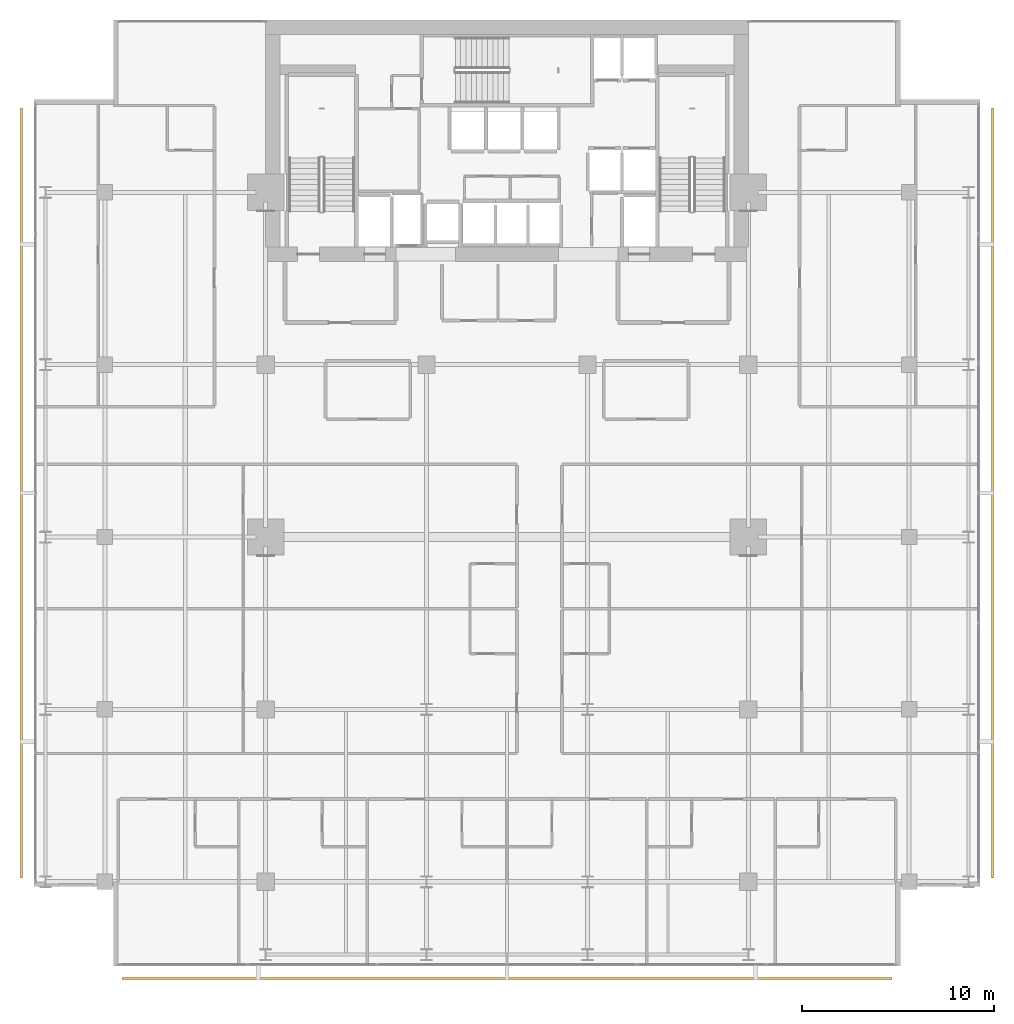
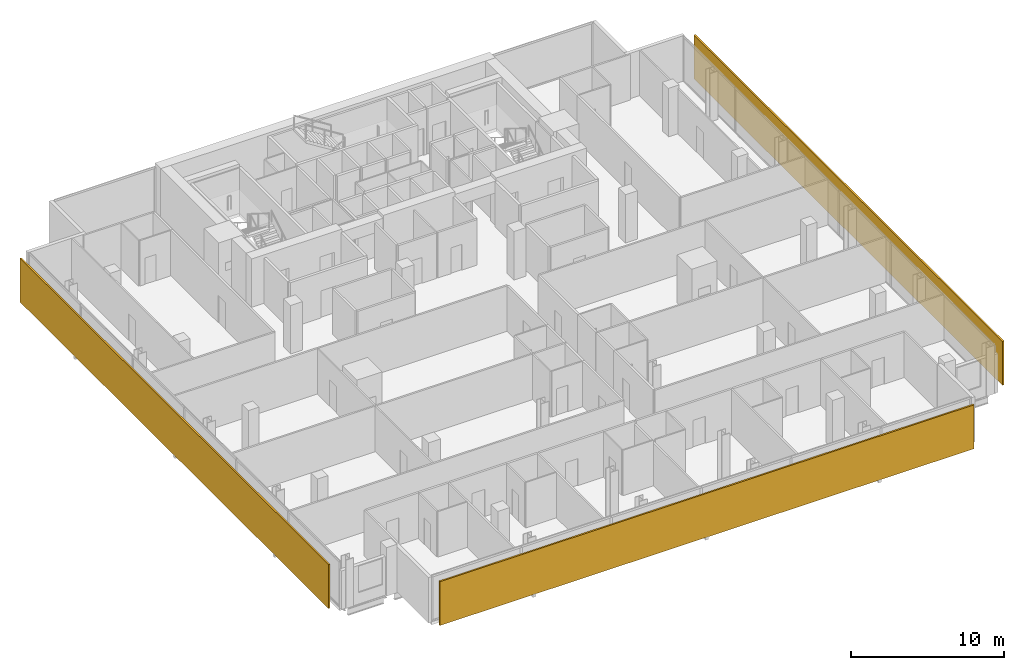
# One storey, part 32 of 33: 3 shading devices.
"""IFC4 building model written with IfcOpenShell, lengths in metres."""

from ifc_helpers import new_model, si_unit, direction, frame, origin, origin_2d, place, context, subcontext, project, spatial, rectangle, extrude, material, layer, layer_set, type_object, element, save


model = new_model("IFC4")

# Units and contexts
model_context = context("Model", 3, precision=1e-05, world=origin(), true_north=direction((0.0, 1.0)))
body_context = subcontext(model_context, "Body", "Model", "MODEL_VIEW")
ifc_project = project(units=[si_unit("LENGTHUNIT", "METRE"), si_unit("AREAUNIT", "SQUARE_METRE"), si_unit("VOLUMEUNIT", "CUBIC_METRE"), si_unit("PLANEANGLEUNIT", "RADIAN"), si_unit("MASSUNIT", "GRAM", prefix="KILO")], contexts=[model_context])

# Site, building, storey
site_placement = place(None, origin())
site = spatial("IfcSite", under=ifc_project, at=site_placement, CompositionType="ELEMENT")
building_placement = place(site_placement, origin())
building = spatial("IfcBuilding", under=site, at=building_placement, Name="Maruvema Waterfront Hotel and Observation Tower", CompositionType="ELEMENT")
storey_placement = place(building_placement, frame((0.0, 0.0, 204.39990234375)))
storey = spatial("IfcBuildingStorey", under=building, at=storey_placement, Name="L50", CompositionType="ELEMENT", Elevation=204.39990234375)

# Shading devices
ifc_material = material(Name="Honed travertine stone and anodised architectural bronze", Category="masonry")
ifc_layer = layer(ifc_material, 0.1201171875, Name="Ventilated Outer Skin Cobogo Stone-and-Bronze Screen 120 mm")
ifc_layer_set = layer_set([ifc_layer], Name="Honed travertine stone and anodised architectural bronze")
shading_device_type = type_object("IfcShadingDeviceType", Name="Ventilated Outer Skin Cobogo Stone-and-Bronze Screen 120 mm", PredefinedType="USERDEFINED", material=ifc_layer_set)
for number, where, z_axis, x_axis, name in (
    (1, (37.800048828125, 3.949951171875, 0.06005859375), (0.0, 0.0, 1.0), (1.0, 0.0, 0.0), "L50 Ventilated Double-Skin Outer Cobogo Screen OS-L50-S"),
    (2, (63.14990234375, 29.300048828125, 0.06005859375), (0.0, 0.0, 1.0), (0.0, 1.0, 0.0), "L50 Ventilated Double-Skin Outer Cobogo Screen OS-L50-E"),
    (3, (12.449951171875, 29.300048828125, 0.06005859375), (0.0, 0.0, 1.0), (0.0, -1.0, 0.0), "L50 Ventilated Double-Skin Outer Cobogo Screen OS-L50-W"),
):
    element("IfcShadingDevice", number, at=place(storey_placement, frame(where, z_axis=z_axis, x_axis=x_axis)), inside=storey, type_object=shading_device_type, Name=name, ObjectType="OUTER SKIN SCREEN", PredefinedType="USERDEFINED", context=body_context, shape_type="SweptSolid", body=[
        extrude(rectangle(XDim=40.199951171875, YDim=0.1201171875, at=origin_2d()), origin(), (0.0, 0.0, 1.0), 3.489990234375),
    ])

save(model, "model.ifc")
